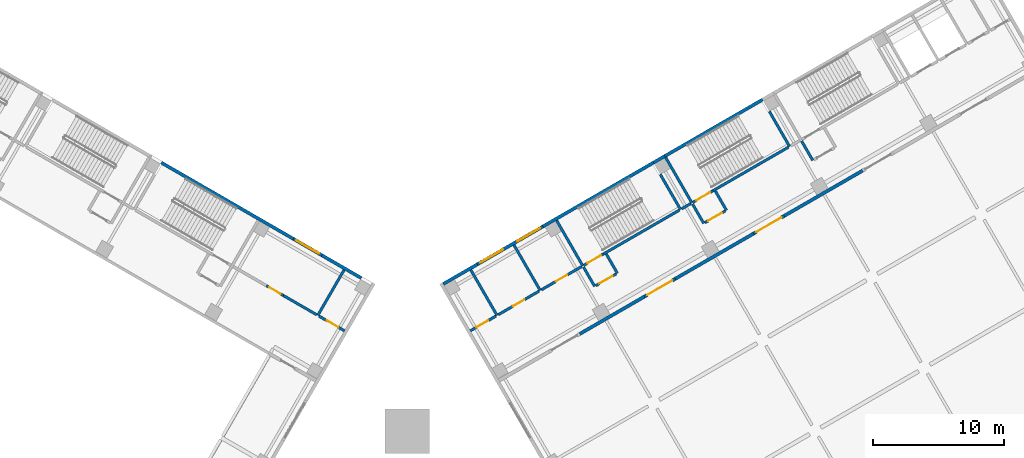
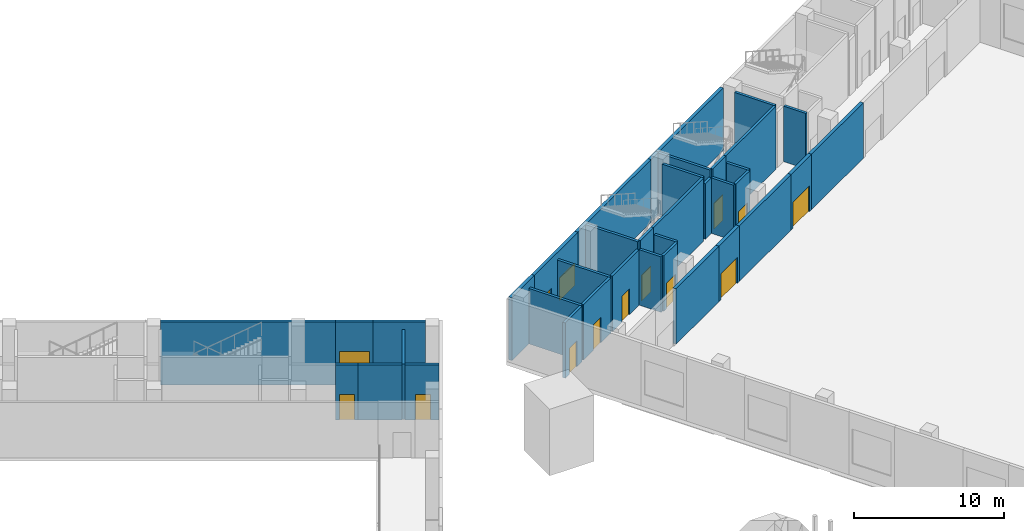
# One storey, part 19 of 35: 38 walls, 11 doors, 3 windows, 14 openings.
"""IFC4 building model written with IfcOpenShell, lengths in metres."""

from ifc_helpers import new_model, si_unit, direction, frame, frame_2d, origin, place, context, subcontext, project, spatial, rectangle, extrude, material, layer, layer_set, type_object, element, fill, save


model = new_model("IFC4")

# Units and contexts
model_context = context("Model", 3, precision=1e-05, world=origin(), true_north=direction((0.0, 1.0)))
body_context = subcontext(model_context, "Body", "Model", "MODEL_VIEW")
ifc_project = project(units=[si_unit("LENGTHUNIT", "METRE"), si_unit("AREAUNIT", "SQUARE_METRE"), si_unit("VOLUMEUNIT", "CUBIC_METRE"), si_unit("PLANEANGLEUNIT", "RADIAN"), si_unit("MASSUNIT", "GRAM", prefix="KILO")], contexts=[model_context])

# Site, building, storey
site_placement = place(None, origin())
site = spatial("IfcSite", under=ifc_project, at=site_placement, CompositionType="ELEMENT")
building_placement = place(site_placement, origin())
building = spatial("IfcBuilding", under=site, at=building_placement, Name="Mestral Congress Tower", CompositionType="ELEMENT")
storey_placement = place(building_placement, frame((0.0, 0.0, 6.0)))
storey = spatial("IfcBuildingStorey", under=building, at=storey_placement, Name="L01", CompositionType="ELEMENT", Elevation=6.0)

# Wall
ifc_material_1 = material(Name="Precast concrete C40/50 with limestone facing", Category="masonry")
ifc_layer_1 = layer(ifc_material_1, 0.25)
ifc_layer_set_1 = layer_set([ifc_layer_1], Name="Precast concrete C40/50 with limestone facing")
wall_type_1 = type_object("IfcWallType", Name="Podium external wall 250", PredefinedType="SOLIDWALL", material=ifc_layer_set_1)
wall_1_placement = place(storey_placement, frame((2.7333984375, 47.621826171875, 0.0), z_axis=(0.0, 0.0, 1.0), x_axis=(0.866010750942, 0.50002537861, 0.0)))
element("IfcWall", 1, at=wall_1_placement, inside=storey, type_object=wall_type_1, Name="L01 external wall", PredefinedType="SOLIDWALL", context=body_context, shape_type="SweptSolid", body=[
    extrude(rectangle(XDim=2.999755859375, YDim=0.25, at=frame_2d((1.5, 0.0))), origin(), (0.0, 0.0, 1.0), 5.10009765625),
])

# Wall, openings, windows
wall_2_placement = place(storey_placement, frame((5.331298828125, 49.121826171875, 0.0), z_axis=(0.0, 0.0, 1.0), x_axis=(0.866036343161, 0.499981051965, 0.0)))
wall_2 = element("IfcWall", 2, at=wall_2_placement, inside=storey, type_object=wall_type_1, Name="L01 external wall", PredefinedType="SOLIDWALL", context=body_context, shape_type="SweptSolid", body=[
    extrude(rectangle(XDim=5.775146484375, YDim=0.25, at=frame_2d((2.8876953125, 0.0))), origin(), (0.0, 0.0, 1.0), 5.10009765625),
])
opening_1_placement = place(wall_2_placement, frame((0.25, 0.0, 0.89990234375)))
opening_1 = element("IfcOpeningElement", 3, at=opening_1_placement, cuts=wall_2, Name="Opening PW-2000x1800", PredefinedType="OPENING", context=body_context, shape_type="SweptSolid", body=[
    extrude(rectangle(XDim=2.0, YDim=1.800048828125, at=frame_2d((1.0, 0.89990234375))), frame((0.0, 0.135009765625, 0.0), z_axis=(0.0, -1.0, 0.0), x_axis=(1.0, 0.0, 0.0)), (0.0, 0.0, 1.0), 0.27001953125),
])
opening_2_placement = place(wall_2_placement, frame((3.52490234375, 0.0, 0.89990234375)))
opening_2 = element("IfcOpeningElement", 4, at=opening_2_placement, cuts=wall_2, Name="Opening PW-2000x1800", PredefinedType="OPENING", context=body_context, shape_type="SweptSolid", body=[
    extrude(rectangle(XDim=2.0, YDim=1.800048828125, at=frame_2d((1.0, 0.89990234375))), frame((0.0, 0.135009765625, 0.0), z_axis=(0.0, -1.0, 0.0), x_axis=(1.0, 0.0, 0.0)), (0.0, 0.0, 1.0), 0.27001953125),
])
ifc_material_2 = material(Name="Aluminium frame, clear double glazing", Category="aluminium")
window_type = type_object("IfcWindowType", Name="Podium window 2000x1800 sill 900", PartitioningType="SINGLE_PANEL", PredefinedType="WINDOW", material=ifc_material_2)
window_1_placement = place(opening_1_placement, origin())
window_1 = element("IfcWindow", 5, at=window_1_placement, inside=storey, type_object=window_type, Name="Window", OverallHeight=1.800048828125, OverallWidth=2.0, PartitioningType="SINGLE_PANEL", PredefinedType="WINDOW", context=body_context, shape_type="SweptSolid", body=[
    extrude(rectangle(XDim=2.0, YDim=1.800048828125, at=frame_2d((1.0, 0.89990234375))), frame((0.0, 0.030029296875, 0.0), z_axis=(0.0, -1.0, 0.0), x_axis=(1.0, 0.0, 0.0)), (0.0, 0.0, 1.0), 0.06005859375),
])
fill(opening_1, window_1)
window_2_placement = place(opening_2_placement, origin())
window_2 = element("IfcWindow", 6, at=window_2_placement, inside=storey, type_object=window_type, Name="Window", OverallHeight=1.800048828125, OverallWidth=2.0, PartitioningType="SINGLE_PANEL", PredefinedType="WINDOW", context=body_context, shape_type="SweptSolid", body=[
    extrude(rectangle(XDim=2.0, YDim=1.800048828125, at=frame_2d((1.0, 0.89990234375))), frame((0.0, 0.030029296875, 0.0), z_axis=(0.0, -1.0, 0.0), x_axis=(1.0, 0.0, 0.0)), (0.0, 0.0, 1.0), 0.06005859375),
])
fill(opening_2, window_2)

# Walls
wall_3_placement = place(storey_placement, frame((10.332763671875, 52.00927734375, 0.0), z_axis=(0.0, 0.0, 1.0), x_axis=(0.866023797515, 0.500002782129, 0.0)))
element("IfcWall", 7, at=wall_3_placement, inside=storey, type_object=wall_type_1, Name="L01 external wall", PredefinedType="SOLIDWALL", context=body_context, shape_type="SweptSolid", body=[
    extrude(rectangle(XDim=9.72509765625, YDim=0.25, at=frame_2d((4.862548828125, 0.0))), origin(), (0.0, 0.0, 1.0), 5.10009765625),
])
wall_4_placement = place(storey_placement, frame((19.620849609375, 57.371826171875, 0.0), z_axis=(0.0, 0.0, 1.0), x_axis=(0.866021068297, 0.500007509209, 0.0)))
element("IfcWall", 8, at=wall_4_placement, inside=storey, type_object=wall_type_1, Name="L01 external wall", PredefinedType="SOLIDWALL", context=body_context, shape_type="SweptSolid", body=[
    extrude(rectangle(XDim=8.599853515625, YDim=0.25, at=frame_2d((4.2998046875, 0.0))), origin(), (0.0, 0.0, 1.0), 5.10009765625),
])
wall_5_placement = place(storey_placement, frame((18.7548828125, 56.871826171875, 0.0), z_axis=(0.0, 0.0, 1.0), x_axis=(0.866010750942, 0.50002537861, 0.0)))
element("IfcWall", 9, at=wall_5_placement, inside=storey, type_object=wall_type_1, Name="L01 external wall", PredefinedType="SOLIDWALL", context=body_context, shape_type="SweptSolid", body=[
    extrude(rectangle(XDim=1.0, YDim=0.25, at=frame_2d((0.5, 0.0))), origin(), (0.0, 0.0, 1.0), 5.10009765625),
])
wall_6_placement = place(storey_placement, frame((-6.522216796875, 49.80908203125, 0.0), z_axis=(0.0, 0.0, 1.0), x_axis=(0.866055725969, -0.499947476758, 0.0)))
element("IfcWall", 10, at=wall_6_placement, inside=storey, type_object=wall_type_1, Name="L01 external wall", PredefinedType="SOLIDWALL", context=body_context, shape_type="SweptSolid", body=[
    extrude(rectangle(XDim=3.474853515625, YDim=0.25, at=frame_2d((1.7373046875, 0.0))), origin(), (0.0, 0.0, 1.0), 5.10009765625),
])

# Wall, opening, window
wall_7_placement = place(storey_placement, frame((-8.687255859375, 51.05908203125, 0.0), z_axis=(0.0, 0.0, 1.0), x_axis=(0.866022959057, -0.500004234368, 0.0)))
wall_7 = element("IfcWall", 11, at=wall_7_placement, inside=storey, type_object=wall_type_1, Name="L01 external wall", PredefinedType="SOLIDWALL", context=body_context, shape_type="SweptSolid", body=[
    extrude(rectangle(XDim=2.5, YDim=0.25, at=frame_2d((1.25, 0.0))), origin(), (0.0, 0.0, 1.0), 5.10009765625),
])
opening_3_placement = place(wall_7_placement, frame((0.25, 0.0, 0.89990234375)))
opening_3 = element("IfcOpeningElement", 12, at=opening_3_placement, cuts=wall_7, Name="Opening PW-2000x1800", PredefinedType="OPENING", context=body_context, shape_type="SweptSolid", body=[
    extrude(rectangle(XDim=2.0, YDim=1.800048828125, at=frame_2d((1.0, 0.89990234375))), frame((0.0, 0.135009765625, 0.0), z_axis=(0.0, -1.0, 0.0), x_axis=(1.0, 0.0, 0.0)), (0.0, 0.0, 1.0), 0.27001953125),
])
window_3_placement = place(opening_3_placement, origin())
window_3 = element("IfcWindow", 13, at=window_3_placement, inside=storey, type_object=window_type, Name="Window", OverallHeight=1.800048828125, OverallWidth=2.0, PartitioningType="SINGLE_PANEL", PredefinedType="WINDOW", context=body_context, shape_type="SweptSolid", body=[
    extrude(rectangle(XDim=2.0, YDim=1.800048828125, at=frame_2d((1.0, 0.89990234375))), frame((0.0, 0.030029296875, 0.0), z_axis=(0.0, -1.0, 0.0), x_axis=(1.0, 0.0, 0.0)), (0.0, 0.0, 1.0), 0.06005859375),
])
fill(opening_3, window_3)

# Walls
wall_8_placement = place(storey_placement, frame((-18.7548828125, 56.87158203125, 0.0), z_axis=(0.0, 0.0, 1.0), x_axis=(0.866027159341, -0.499996959274, 0.0)))
element("IfcWall", 14, at=wall_8_placement, inside=storey, type_object=wall_type_1, Name="L01 external wall", PredefinedType="SOLIDWALL", context=body_context, shape_type="SweptSolid", body=[
    extrude(rectangle(XDim=11.625, YDim=0.25, at=frame_2d((5.8125, 0.0))), origin(), (0.0, 0.0, 1.0), 5.10009765625),
])
ifc_material_3 = material(Name="Masonry block wall", Category="masonry")
ifc_layer_2 = layer(ifc_material_3, 0.25)
ifc_layer_set_2 = layer_set([ifc_layer_2], Name="Masonry block wall")
wall_type_2 = type_object("IfcWallType", Name="Podium hall wall 250 EI 180", PredefinedType="SOLIDWALL", material=ifc_layer_set_2)
wall_9_placement = place(storey_placement, frame((13.132080078125, 43.810546875, 0.0), z_axis=(0.0, 0.0, 1.0), x_axis=(0.866015111908, 0.50001782563, 0.0)))
element("IfcWall", 15, at=wall_9_placement, inside=storey, type_object=wall_type_2, Name="L01 partition", PredefinedType="SOLIDWALL", context=body_context, shape_type="SweptSolid", body=[
    extrude(rectangle(XDim=5.699951171875, YDim=0.25, at=frame_2d((2.85009765625, 0.0))), origin(), (0.0, 0.0, 1.0), 4.5),
])

# Wall, opening, door
wall_10_placement = place(storey_placement, frame((18.068359375, 46.66064453125, 0.0), z_axis=(0.0, 0.0, 1.0), x_axis=(0.866059108428, 0.4999416173, 0.0)))
wall_10 = element("IfcWall", 16, at=wall_10_placement, inside=storey, type_object=wall_type_2, Name="L01 partition", PredefinedType="SOLIDWALL", context=body_context, shape_type="SweptSolid", body=[
    extrude(rectangle(XDim=2.699951171875, YDim=0.25, at=frame_2d((1.35009765625, 0.0))), origin(), (0.0, 0.0, 1.0), 4.5),
])
opening_4_placement = place(wall_10_placement, frame((0.25, 0.0, 0.0)))
opening_4 = element("IfcOpeningElement", 17, at=opening_4_placement, cuts=wall_10, Name="Opening P01-023", PredefinedType="OPENING", context=body_context, shape_type="SweptSolid", body=[
    extrude(rectangle(XDim=2.199951171875, YDim=2.10009765625, at=frame_2d((1.10009765625, 1.050048828125))), frame((0.0, 0.135009765625, 0.0), z_axis=(0.0, -1.0, 0.0), x_axis=(1.0, 0.0, 0.0)), (0.0, 0.0, 1.0), 0.27001953125),
])
ifc_material_4 = material(Name="Fire-rated steel door set", Category="steel")
door_type_1 = type_object("IfcDoorType", Name="Podium hall door 2200x2100 EI2 90-C5", OperationType="DOUBLE_DOOR_SINGLE_SWING", PredefinedType="DOOR", material=ifc_material_4)
door_1_placement = place(opening_4_placement, origin())
door_1 = element("IfcDoor", 18, at=door_1_placement, inside=storey, type_object=door_type_1, Name="Door P01-023", OperationType="DOUBLE_DOOR_SINGLE_SWING", OverallHeight=2.10009765625, OverallWidth=2.199951171875, PredefinedType="DOOR", context=body_context, shape_type="SweptSolid", body=[
    extrude(rectangle(XDim=2.199951171875, YDim=2.10009765625, at=frame_2d((1.10009765625, 1.050048828125))), frame((0.0, 0.02490234375, 0.0), z_axis=(0.0, -1.0, 0.0), x_axis=(1.0, 0.0, 0.0)), (0.0, 0.0, 1.0), 0.050048828125),
])
fill(opening_4, door_1)

# Wall
wall_11_placement = place(storey_placement, frame((20.40673828125, 48.010498046875, 0.0), z_axis=(0.0, 0.0, 1.0), x_axis=(0.866013532718, 0.500020560727, 0.0)))
element("IfcWall", 19, at=wall_11_placement, inside=storey, type_object=wall_type_2, Name="L01 partition", PredefinedType="SOLIDWALL", context=body_context, shape_type="SweptSolid", body=[
    extrude(rectangle(XDim=6.900146484375, YDim=0.25, at=frame_2d((3.4501953125, 0.0))), origin(), (0.0, 0.0, 1.0), 4.5),
])

# Wall, opening, door
wall_12_placement = place(storey_placement, frame((26.38232421875, 51.460693359375, 0.0), z_axis=(0.0, 0.0, 1.0), x_axis=(0.866036505625, 0.499980770555, 0.0)))
wall_12 = element("IfcWall", 20, at=wall_12_placement, inside=storey, type_object=wall_type_2, Name="L01 partition", PredefinedType="SOLIDWALL", context=body_context, shape_type="SweptSolid", body=[
    extrude(rectangle(XDim=2.69970703125, YDim=0.25, at=frame_2d((1.349853515625, 0.0))), origin(), (0.0, 0.0, 1.0), 4.5),
])
opening_5_placement = place(wall_12_placement, frame((0.25, 0.0, 0.0)))
opening_5 = element("IfcOpeningElement", 21, at=opening_5_placement, cuts=wall_12, Name="Opening P01-024", PredefinedType="OPENING", context=body_context, shape_type="SweptSolid", body=[
    extrude(rectangle(XDim=2.199951171875, YDim=2.10009765625, at=frame_2d((1.10009765625, 1.050048828125))), frame((0.0, 0.135009765625, 0.0), z_axis=(0.0, -1.0, 0.0), x_axis=(1.0, 0.0, 0.0)), (0.0, 0.0, 1.0), 0.27001953125),
])
door_2_placement = place(opening_5_placement, origin())
door_2 = element("IfcDoor", 22, at=door_2_placement, inside=storey, type_object=door_type_1, Name="Door P01-024", OperationType="DOUBLE_DOOR_SINGLE_SWING", OverallHeight=2.10009765625, OverallWidth=2.199951171875, PredefinedType="DOOR", context=body_context, shape_type="SweptSolid", body=[
    extrude(rectangle(XDim=2.199951171875, YDim=2.10009765625, at=frame_2d((1.10009765625, 1.050048828125))), frame((0.0, 0.02490234375, 0.0), z_axis=(0.0, -1.0, 0.0), x_axis=(1.0, 0.0, 0.0)), (0.0, 0.0, 1.0), 0.050048828125),
])
fill(opening_5, door_2)

# Walls
wall_13_placement = place(storey_placement, frame((28.720458984375, 52.810546875, 0.0), z_axis=(0.0, 0.0, 1.0), x_axis=(0.866028853923, 0.499994024137, 0.0)))
element("IfcWall", 23, at=wall_13_placement, inside=storey, type_object=wall_type_2, Name="L01 partition", PredefinedType="SOLIDWALL", context=body_context, shape_type="SweptSolid", body=[
    extrude(rectangle(XDim=6.89990234375, YDim=0.25, at=frame_2d((3.449951171875, 0.0))), origin(), (0.0, 0.0, 1.0), 4.5),
])
ifc_layer_3 = layer(ifc_material_3, 0.199951171875)
ifc_layer_set_3 = layer_set([ifc_layer_3], Name="Masonry block wall")
wall_type_3 = type_object("IfcWallType", Name="Podium stair enclosure wall 200 EI 120 load-bearing", PredefinedType="SOLIDWALL", material=ifc_layer_set_3)
wall_14_placement = place(storey_placement, frame((13.369384765625, 48.99951171875, 0.0), z_axis=(0.0, 0.0, 1.0), x_axis=(-0.50002537861, 0.866010750942, 0.0)))
element("IfcWall", 24, at=wall_14_placement, inside=storey, type_object=wall_type_3, Name="L01 partition", PredefinedType="SOLIDWALL", context=body_context, shape_type="SweptSolid", body=[
    extrude(rectangle(XDim=3.999755859375, YDim=0.199951171875, at=frame_2d((2.0, 0.0))), origin(), (0.0, 0.0, 1.0), 5.10009765625),
])
wall_15_placement = place(storey_placement, frame((20.8173828125, 53.29931640625, 0.0), z_axis=(0.0, 0.0, 1.0), x_axis=(-0.49999285859, 0.86602952684, 0.0)))
element("IfcWall", 25, at=wall_15_placement, inside=storey, type_object=wall_type_3, Name="L01 partition", PredefinedType="SOLIDWALL", context=body_context, shape_type="SweptSolid", body=[
    extrude(rectangle(XDim=3.10009765625, YDim=0.199951171875, at=frame_2d((1.550048828125, 0.0))), origin(), (0.0, 0.0, 1.0), 5.10009765625),
])
wall_16_placement = place(storey_placement, frame((21.683349609375, 53.79931640625, 0.0), z_axis=(0.0, 0.0, 1.0), x_axis=(-0.49999894854, 0.866026010844, 0.0)))
element("IfcWall", 26, at=wall_16_placement, inside=storey, type_object=wall_type_3, Name="L01 partition", PredefinedType="SOLIDWALL", context=body_context, shape_type="SweptSolid", body=[
    extrude(rectangle(XDim=4.0, YDim=0.199951171875, at=frame_2d((2.0, 0.0))), origin(), (0.0, 0.0, 1.0), 5.10009765625),
])
wall_17_placement = place(storey_placement, frame((29.131103515625, 58.099365234375, 0.0), z_axis=(0.0, 0.0, 1.0), x_axis=(-0.49999285859, 0.86602952684, 0.0)))
element("IfcWall", 27, at=wall_17_placement, inside=storey, type_object=wall_type_3, Name="L01 partition", PredefinedType="SOLIDWALL", context=body_context, shape_type="SweptSolid", body=[
    extrude(rectangle(XDim=3.10009765625, YDim=0.199951171875, at=frame_2d((1.550048828125, 0.0))), origin(), (0.0, 0.0, 1.0), 5.10009765625),
])

# Wall, opening, door
wall_18_placement = place(storey_placement, frame((13.4560546875, 49.04931640625, 0.0), z_axis=(0.0, 0.0, 1.0), x_axis=(0.866036909293, 0.499980071345, 0.0)))
wall_18 = element("IfcWall", 28, at=wall_18_placement, inside=storey, type_object=wall_type_3, Name="L01 partition", PredefinedType="SOLIDWALL", context=body_context, shape_type="SweptSolid", body=[
    extrude(rectangle(XDim=1.75, YDim=0.199951171875, at=frame_2d((0.875, 0.0))), origin(), (0.0, 0.0, 1.0), 5.10009765625),
])
opening_6_placement = place(wall_18_placement, frame((0.300048828125, 0.0, 0.0)))
opening_6 = element("IfcOpeningElement", 29, at=opening_6_placement, cuts=wall_18, Name="Opening P01-004", PredefinedType="OPENING", context=body_context, shape_type="SweptSolid", body=[
    extrude(rectangle(XDim=1.199951171875, YDim=2.10009765625, at=frame_2d((0.60009765625, 1.050048828125))), frame((0.0, 0.10986328125, 0.0), z_axis=(0.0, -1.0, 0.0), x_axis=(1.0, 0.0, 0.0)), (0.0, 0.0, 1.0), 0.219970703125),
])
door_type_2 = type_object("IfcDoorType", Name="Podium stair door 1200x2100 EI2 30-C5", OperationType="SINGLE_SWING_LEFT", PredefinedType="DOOR", material=ifc_material_4)
door_3_placement = place(opening_6_placement, origin())
door_3 = element("IfcDoor", 30, at=door_3_placement, inside=storey, type_object=door_type_2, Name="Door P01-004", OperationType="SINGLE_SWING_LEFT", OverallHeight=2.10009765625, OverallWidth=1.199951171875, PredefinedType="DOOR", context=body_context, shape_type="SweptSolid", body=[
    extrude(rectangle(XDim=1.199951171875, YDim=2.10009765625, at=frame_2d((0.60009765625, 1.050048828125))), frame((0.0, 0.02490234375, 0.0), z_axis=(0.0, -1.0, 0.0), x_axis=(1.0, 0.0, 0.0)), (0.0, 0.0, 1.0), 0.050048828125),
])
fill(opening_6, door_3)

# Wall
wall_19_placement = place(storey_placement, frame((14.9716796875, 49.92431640625, 0.0), z_axis=(0.0, 0.0, 1.0), x_axis=(0.86601134256, 0.500024353964, 0.0)))
element("IfcWall", 31, at=wall_19_placement, inside=storey, type_object=wall_type_3, Name="L01 partition", PredefinedType="SOLIDWALL", context=body_context, shape_type="SweptSolid", body=[
    extrude(rectangle(XDim=6.650146484375, YDim=0.199951171875, at=frame_2d((3.3251953125, 0.0))), origin(), (0.0, 0.0, 1.0), 5.10009765625),
])

# Wall, opening, door
wall_20_placement = place(storey_placement, frame((21.77001953125, 53.849365234375, 0.0), z_axis=(0.0, 0.0, 1.0), x_axis=(0.866002029911, 0.500040482552, 0.0)))
wall_20 = element("IfcWall", 32, at=wall_20_placement, inside=storey, type_object=wall_type_3, Name="L01 partition", PredefinedType="SOLIDWALL", context=body_context, shape_type="SweptSolid", body=[
    extrude(rectangle(XDim=1.749755859375, YDim=0.199951171875, at=frame_2d((0.875, 0.0))), origin(), (0.0, 0.0, 1.0), 5.10009765625),
])
opening_7_placement = place(wall_20_placement, frame((0.300048828125, 0.0, 0.0)))
opening_7 = element("IfcOpeningElement", 33, at=opening_7_placement, cuts=wall_20, Name="Opening P01-005", PredefinedType="OPENING", context=body_context, shape_type="SweptSolid", body=[
    extrude(rectangle(XDim=1.199951171875, YDim=2.10009765625, at=frame_2d((0.60009765625, 1.050048828125))), frame((0.0, 0.10986328125, 0.0), z_axis=(0.0, -1.0, 0.0), x_axis=(1.0, 0.0, 0.0)), (0.0, 0.0, 1.0), 0.219970703125),
])
door_4_placement = place(opening_7_placement, origin())
door_4 = element("IfcDoor", 34, at=door_4_placement, inside=storey, type_object=door_type_2, Name="Door P01-005", OperationType="SINGLE_SWING_LEFT", OverallHeight=2.10009765625, OverallWidth=1.199951171875, PredefinedType="DOOR", context=body_context, shape_type="SweptSolid", body=[
    extrude(rectangle(XDim=1.199951171875, YDim=2.10009765625, at=frame_2d((0.60009765625, 1.050048828125))), frame((0.0, 0.02490234375, 0.0), z_axis=(0.0, -1.0, 0.0), x_axis=(1.0, 0.0, 0.0)), (0.0, 0.0, 1.0), 0.050048828125),
])
fill(opening_7, door_4)

# Walls
wall_21_placement = place(storey_placement, frame((23.285400390625, 54.724365234375, 0.0), z_axis=(0.0, 0.0, 1.0), x_axis=(0.866027239912, 0.49999681972, 0.0)))
element("IfcWall", 35, at=wall_21_placement, inside=storey, type_object=wall_type_3, Name="L01 partition", PredefinedType="SOLIDWALL", context=body_context, shape_type="SweptSolid", body=[
    extrude(rectangle(XDim=6.64990234375, YDim=0.199951171875, at=frame_2d((3.324951171875, 0.0))), origin(), (0.0, 0.0, 1.0), 5.10009765625),
])
ifc_material_5 = material(Name="Fire-rated board partition")
ifc_layer_4 = layer(ifc_material_5, 0.199951171875)
ifc_layer_set_4 = layer_set([ifc_layer_4], Name="Fire-rated board partition")
wall_type_4 = type_object("IfcWallType", Name="Podium vestibule wall 200 EI 120", PredefinedType="PARTITIONING", material=ifc_layer_set_4)
for number, where, z_axis, x_axis, name in (
    (36, (14.26953125, 47.440673828125, 0.0), (0.0, 0.0, 1.0), (-0.500062241894, 0.865989465428, 0.0), "L01 partition"),
    (37, (16.00146484375, 48.440673828125, 0.0), (0.0, 0.0, 1.0), (-0.499954529098, 0.86605165483, 0.0), "L01 partition"),
    (38, (22.583251953125, 52.240478515625, 0.0), (0.0, 0.0, 1.0), (-0.499892348375, 0.866087547558, 0.0), "L01 partition"),
):
    element("IfcWall", number, at=place(storey_placement, frame(where, z_axis=z_axis, x_axis=x_axis)), inside=storey, type_object=wall_type_4, Name=name, PredefinedType="PARTITIONING", context=body_context, shape_type="SweptSolid", body=[
        extrude(rectangle(XDim=1.699951171875, YDim=0.199951171875, at=frame_2d((0.85009765625, 0.0))), origin(), (0.0, 0.0, 1.0), 4.5),
    ])
wall_22_placement = place(storey_placement, frame((24.3154296875, 53.240478515625, 0.0), z_axis=(0.0, 0.0, 1.0), x_axis=(-0.500000056704, 0.866025371046, 0.0)))
element("IfcWall", 39, at=wall_22_placement, inside=storey, type_object=wall_type_4, Name="L01 partition", PredefinedType="PARTITIONING", context=body_context, shape_type="SweptSolid", body=[
    extrude(rectangle(XDim=1.7001953125, YDim=0.199951171875, at=frame_2d((0.85009765625, 0.0))), origin(), (0.0, 0.0, 1.0), 4.5),
])
wall_23_placement = place(storey_placement, frame((30.897216796875, 57.04052734375, 0.0), z_axis=(0.0, 0.0, 1.0), x_axis=(-0.500062241894, 0.865989465428, 0.0)))
element("IfcWall", 40, at=wall_23_placement, inside=storey, type_object=wall_type_4, Name="L01 partition", PredefinedType="PARTITIONING", context=body_context, shape_type="SweptSolid", body=[
    extrude(rectangle(XDim=1.699951171875, YDim=0.199951171875, at=frame_2d((0.85009765625, 0.0))), origin(), (0.0, 0.0, 1.0), 4.5),
])

# Wall, opening, door
wall_24_placement = place(storey_placement, frame((14.356201171875, 47.490478515625, 0.0), z_axis=(0.0, 0.0, 1.0), x_axis=(0.865955154139, 0.50012165622, 0.0)))
wall_24 = element("IfcWall", 41, at=wall_24_placement, inside=storey, type_object=wall_type_4, Name="L01 partition", PredefinedType="PARTITIONING", context=body_context, shape_type="SweptSolid", body=[
    extrude(rectangle(XDim=1.7998046875, YDim=0.199951171875, at=frame_2d((0.89990234375, 0.0))), origin(), (0.0, 0.0, 1.0), 4.5),
])
opening_8_placement = place(wall_24_placement, frame((0.300048828125, 0.0, 0.0)))
opening_8 = element("IfcOpeningElement", 42, at=opening_8_placement, cuts=wall_24, Name="Opening P01-014", PredefinedType="OPENING", context=body_context, shape_type="SweptSolid", body=[
    extrude(rectangle(XDim=1.199951171875, YDim=2.10009765625, at=frame_2d((0.60009765625, 1.050048828125))), frame((0.0, 0.10986328125, 0.0), z_axis=(0.0, -1.0, 0.0), x_axis=(1.0, 0.0, 0.0)), (0.0, 0.0, 1.0), 0.219970703125),
])
door_type_3 = type_object("IfcDoorType", Name="Podium vestibule door 1200x2100 EI2 30-C5", OperationType="SINGLE_SWING_LEFT", PredefinedType="DOOR", material=ifc_material_4)
door_5_placement = place(opening_8_placement, origin())
door_5 = element("IfcDoor", 43, at=door_5_placement, inside=storey, type_object=door_type_3, Name="Door P01-014", OperationType="SINGLE_SWING_LEFT", OverallHeight=2.10009765625, OverallWidth=1.199951171875, PredefinedType="DOOR", context=body_context, shape_type="SweptSolid", body=[
    extrude(rectangle(XDim=1.199951171875, YDim=2.10009765625, at=frame_2d((0.60009765625, 1.050048828125))), frame((0.0, 0.02490234375, 0.0), z_axis=(0.0, -1.0, 0.0), x_axis=(1.0, 0.0, 0.0)), (0.0, 0.0, 1.0), 0.050048828125),
])
fill(opening_8, door_5)

wall_25_placement = place(storey_placement, frame((22.669921875, 52.29052734375, 0.0), z_axis=(0.0, 0.0, 1.0), x_axis=(0.865989075817, 0.500062916607, 0.0)))
wall_25 = element("IfcWall", 44, at=wall_25_placement, inside=storey, type_object=wall_type_4, Name="L01 partition", PredefinedType="PARTITIONING", context=body_context, shape_type="SweptSolid", body=[
    extrude(rectangle(XDim=1.800048828125, YDim=0.199951171875, at=frame_2d((0.89990234375, 0.0))), origin(), (0.0, 0.0, 1.0), 4.5),
])
opening_9_placement = place(wall_25_placement, frame((0.300048828125, 0.0, 0.0)))
opening_9 = element("IfcOpeningElement", 45, at=opening_9_placement, cuts=wall_25, Name="Opening P01-015", PredefinedType="OPENING", context=body_context, shape_type="SweptSolid", body=[
    extrude(rectangle(XDim=1.199951171875, YDim=2.10009765625, at=frame_2d((0.60009765625, 1.050048828125))), frame((0.0, 0.10986328125, 0.0), z_axis=(0.0, -1.0, 0.0), x_axis=(1.0, 0.0, 0.0)), (0.0, 0.0, 1.0), 0.219970703125),
])
door_6_placement = place(opening_9_placement, origin())
door_6 = element("IfcDoor", 46, at=door_6_placement, inside=storey, type_object=door_type_3, Name="Door P01-015", OperationType="SINGLE_SWING_LEFT", OverallHeight=2.10009765625, OverallWidth=1.199951171875, PredefinedType="DOOR", context=body_context, shape_type="SweptSolid", body=[
    extrude(rectangle(XDim=1.199951171875, YDim=2.10009765625, at=frame_2d((0.60009765625, 1.050048828125))), frame((0.0, 0.02490234375, 0.0), z_axis=(0.0, -1.0, 0.0), x_axis=(1.0, 0.0, 0.0)), (0.0, 0.0, 1.0), 0.050048828125),
])
fill(opening_9, door_6)

# Wall
wall_26_placement = place(storey_placement, frame((6.8310546875, 45.224365234375, 0.0), z_axis=(0.0, 0.0, 1.0), x_axis=(-0.49999894854, 0.866026010844, 0.0)))
element("IfcWall", 47, at=wall_26_placement, inside=storey, type_object=wall_type_4, Name="L01 partition", PredefinedType="PARTITIONING", context=body_context, shape_type="SweptSolid", body=[
    extrude(rectangle(XDim=4.0, YDim=0.199951171875, at=frame_2d((2.0, 0.0))), origin(), (0.0, 0.0, 1.0), 4.5),
])

# Wall, opening, door
wall_27_placement = place(storey_placement, frame((4.7958984375, 44.04931640625, 0.0), z_axis=(0.0, 0.0, 1.0), x_axis=(0.866017533419, 0.500013631625, 0.0)))
wall_27 = element("IfcWall", 48, at=wall_27_placement, inside=storey, type_object=wall_type_4, Name="L01 partition", PredefinedType="PARTITIONING", context=body_context, shape_type="SweptSolid", body=[
    extrude(rectangle(XDim=2.25, YDim=0.199951171875, at=frame_2d((1.125, 0.0))), origin(), (0.0, 0.0, 1.0), 4.5),
])
opening_10_placement = place(wall_27_placement, frame((0.550048828125, 0.0, 0.0)))
opening_10 = element("IfcOpeningElement", 49, at=opening_10_placement, cuts=wall_27, Name="Opening P01-030", PredefinedType="OPENING", context=body_context, shape_type="SweptSolid", body=[
    extrude(rectangle(XDim=1.0, YDim=2.10009765625, at=frame_2d((0.5, 1.050048828125))), frame((0.0, 0.10986328125, 0.0), z_axis=(0.0, -1.0, 0.0), x_axis=(1.0, 0.0, 0.0)), (0.0, 0.0, 1.0), 0.219970703125),
])
door_type_4 = type_object("IfcDoorType", Name="Podium room door 1000x2100 EI2 30-C5", OperationType="SINGLE_SWING_LEFT", PredefinedType="DOOR", material=ifc_material_4)
door_7_placement = place(opening_10_placement, origin())
door_7 = element("IfcDoor", 50, at=door_7_placement, inside=storey, type_object=door_type_4, Name="Door P01-030", OperationType="SINGLE_SWING_LEFT", OverallHeight=2.10009765625, OverallWidth=1.0, PredefinedType="DOOR", context=body_context, shape_type="SweptSolid", body=[
    extrude(rectangle(XDim=1.0, YDim=2.10009765625, at=frame_2d((0.5, 1.050048828125))), frame((0.0, 0.02490234375, 0.0), z_axis=(0.0, -1.0, 0.0), x_axis=(1.0, 0.0, 0.0)), (0.0, 0.0, 1.0), 0.050048828125),
])
fill(opening_10, door_7)

# Wall
wall_28_placement = place(storey_placement, frame((10.121826171875, 47.12451171875, 0.0), z_axis=(0.0, 0.0, 1.0), x_axis=(-0.50002537861, 0.866010750942, 0.0)))
element("IfcWall", 51, at=wall_28_placement, inside=storey, type_object=wall_type_4, Name="L01 partition", PredefinedType="PARTITIONING", context=body_context, shape_type="SweptSolid", body=[
    extrude(rectangle(XDim=3.999755859375, YDim=0.199951171875, at=frame_2d((2.0, 0.0))), origin(), (0.0, 0.0, 1.0), 4.5),
])

# Wall, opening, door
wall_29_placement = place(storey_placement, frame((6.91748046875, 45.2744140625, 0.0), z_axis=(0.0, 0.0, 1.0), x_axis=(0.866035395735, 0.499982693035, 0.0)))
wall_29 = element("IfcWall", 52, at=wall_29_placement, inside=storey, type_object=wall_type_4, Name="L01 partition", PredefinedType="PARTITIONING", context=body_context, shape_type="SweptSolid", body=[
    extrude(rectangle(XDim=3.600341796875, YDim=0.199951171875, at=frame_2d((1.80029296875, 0.0))), origin(), (0.0, 0.0, 1.0), 4.5),
])
opening_11_placement = place(wall_29_placement, frame((1.300048828125, 0.0, 0.0)))
opening_11 = element("IfcOpeningElement", 53, at=opening_11_placement, cuts=wall_29, Name="Opening P01-034", PredefinedType="OPENING", context=body_context, shape_type="SweptSolid", body=[
    extrude(rectangle(XDim=1.0, YDim=2.10009765625, at=frame_2d((0.5, 1.050048828125))), frame((0.0, 0.10986328125, 0.0), z_axis=(0.0, -1.0, 0.0), x_axis=(1.0, 0.0, 0.0)), (0.0, 0.0, 1.0), 0.219970703125),
])
door_8_placement = place(opening_11_placement, origin())
door_8 = element("IfcDoor", 54, at=door_8_placement, inside=storey, type_object=door_type_4, Name="Door P01-034", OperationType="SINGLE_SWING_LEFT", OverallHeight=2.10009765625, OverallWidth=1.0, PredefinedType="DOOR", context=body_context, shape_type="SweptSolid", body=[
    extrude(rectangle(XDim=1.0, YDim=2.10009765625, at=frame_2d((0.5, 1.050048828125))), frame((0.0, 0.02490234375, 0.0), z_axis=(0.0, -1.0, 0.0), x_axis=(1.0, 0.0, 0.0)), (0.0, 0.0, 1.0), 0.050048828125),
])
fill(opening_11, door_8)

wall_30_placement = place(storey_placement, frame((10.20849609375, 47.17431640625, 0.0), z_axis=(0.0, 0.0, 1.0), x_axis=(0.866012656725, 0.500022077904, 0.0)))
wall_30 = element("IfcWall", 55, at=wall_30_placement, inside=storey, type_object=wall_type_4, Name="L01 partition", PredefinedType="PARTITIONING", context=body_context, shape_type="SweptSolid", body=[
    extrude(rectangle(XDim=3.550048828125, YDim=0.199951171875, at=frame_2d((1.77490234375, 0.0))), origin(), (0.0, 0.0, 1.0), 4.5),
])
opening_12_placement = place(wall_30_placement, frame((1.27490234375, 0.0, 0.0)))
opening_12 = element("IfcOpeningElement", 56, at=opening_12_placement, cuts=wall_30, Name="Opening P01-035", PredefinedType="OPENING", context=body_context, shape_type="SweptSolid", body=[
    extrude(rectangle(XDim=1.0, YDim=2.10009765625, at=frame_2d((0.5, 1.050048828125))), frame((0.0, 0.10986328125, 0.0), z_axis=(0.0, -1.0, 0.0), x_axis=(1.0, 0.0, 0.0)), (0.0, 0.0, 1.0), 0.219970703125),
])
door_9_placement = place(opening_12_placement, origin())
door_9 = element("IfcDoor", 57, at=door_9_placement, inside=storey, type_object=door_type_4, Name="Door P01-035", OperationType="SINGLE_SWING_LEFT", OverallHeight=2.10009765625, OverallWidth=1.0, PredefinedType="DOOR", context=body_context, shape_type="SweptSolid", body=[
    extrude(rectangle(XDim=1.0, YDim=2.10009765625, at=frame_2d((0.5, 1.050048828125))), frame((0.0, 0.02490234375, 0.0), z_axis=(0.0, -1.0, 0.0), x_axis=(1.0, 0.0, 0.0)), (0.0, 0.0, 1.0), 0.050048828125),
])
fill(opening_12, door_9)

# Walls
wall_31_placement = place(storey_placement, frame((20.90380859375, 53.349365234375, 0.0), z_axis=(0.0, 0.0, 1.0), x_axis=(0.865961984968, 0.500109828528, 0.0)))
element("IfcWall", 58, at=wall_31_placement, inside=storey, type_object=wall_type_4, Name="L01 partition", PredefinedType="PARTITIONING", context=body_context, shape_type="SweptSolid", body=[
    extrude(rectangle(XDim=0.800048828125, YDim=0.199951171875, at=frame_2d((0.39990234375, 0.0))), origin(), (0.0, 0.0, 1.0), 4.5),
])
wall_32_placement = place(storey_placement, frame((-4.8310546875, 48.6884765625, 0.0), z_axis=(0.0, 0.0, 1.0), x_axis=(-0.49999894854, -0.866026010844, 0.0)))
element("IfcWall", 59, at=wall_32_placement, inside=storey, type_object=wall_type_4, Name="L01 partition", PredefinedType="PARTITIONING", context=body_context, shape_type="SweptSolid", body=[
    extrude(rectangle(XDim=4.0, YDim=0.199951171875, at=frame_2d((2.0, 0.0))), origin(), (0.0, 0.0, 1.0), 4.5),
])

# Wall, opening, door
wall_33_placement = place(storey_placement, frame((-6.744384765625, 45.17431640625, 0.0), z_axis=(0.0, 0.0, 1.0), x_axis=(0.866017533419, -0.500013631625, 0.0)))
wall_33 = element("IfcWall", 60, at=wall_33_placement, inside=storey, type_object=wall_type_4, Name="L01 partition", PredefinedType="PARTITIONING", context=body_context, shape_type="SweptSolid", body=[
    extrude(rectangle(XDim=2.25, YDim=0.199951171875, at=frame_2d((1.125, 0.0))), origin(), (0.0, 0.0, 1.0), 4.5),
])
opening_13_placement = place(wall_33_placement, frame((0.699951171875, 0.0, 0.0)))
opening_13 = element("IfcOpeningElement", 61, at=opening_13_placement, cuts=wall_33, Name="Opening P01-321", PredefinedType="OPENING", context=body_context, shape_type="SweptSolid", body=[
    extrude(rectangle(XDim=1.0, YDim=2.10009765625, at=frame_2d((0.5, 1.050048828125))), frame((0.0, 0.10986328125, 0.0), z_axis=(0.0, -1.0, 0.0), x_axis=(1.0, 0.0, 0.0)), (0.0, 0.0, 1.0), 0.219970703125),
])
door_10_placement = place(opening_13_placement, origin())
door_10 = element("IfcDoor", 62, at=door_10_placement, inside=storey, type_object=door_type_4, Name="Door P01-321", OperationType="SINGLE_SWING_LEFT", OverallHeight=2.10009765625, OverallWidth=1.0, PredefinedType="DOOR", context=body_context, shape_type="SweptSolid", body=[
    extrude(rectangle(XDim=1.0, YDim=2.10009765625, at=frame_2d((0.5, 1.050048828125))), frame((0.0, 0.02490234375, 0.0), z_axis=(0.0, -1.0, 0.0), x_axis=(1.0, 0.0, 0.0)), (0.0, 0.0, 1.0), 0.050048828125),
])
fill(opening_13, door_10)

# Wall
wall_34_placement = place(storey_placement, frame((-6.91748046875, 45.2744140625, 0.0), z_axis=(0.0, 0.0, 1.0), x_axis=(-0.866046596414, 0.499963291492, 0.0)))
element("IfcWall", 63, at=wall_34_placement, inside=storey, type_object=wall_type_4, Name="L01 partition", PredefinedType="PARTITIONING", context=body_context, shape_type="SweptSolid", body=[
    extrude(rectangle(XDim=2.925048828125, YDim=0.199951171875, at=frame_2d((1.46240234375, 0.0))), origin(), (0.0, 0.0, 1.0), 4.5),
])

# Wall, opening, door
wall_35_placement = place(storey_placement, frame((-10.749755859375, 47.48681640625, 0.0), z_axis=(0.0, 0.0, 1.0), x_axis=(0.866031096941, -0.499990139034, 0.0)))
wall_35 = element("IfcWall", 64, at=wall_35_placement, inside=storey, type_object=wall_type_4, Name="L01 partition", PredefinedType="PARTITIONING", context=body_context, shape_type="SweptSolid", body=[
    extrude(rectangle(XDim=1.5, YDim=0.199951171875, at=frame_2d((0.75, 0.0))), origin(), (0.0, 0.0, 1.0), 4.5),
])
opening_14_placement = place(wall_35_placement, frame((0.25, 0.0, 0.0)))
opening_14 = element("IfcOpeningElement", 65, at=opening_14_placement, cuts=wall_35, Name="Opening P01-327", PredefinedType="OPENING", context=body_context, shape_type="SweptSolid", body=[
    extrude(rectangle(XDim=1.0, YDim=2.10009765625, at=frame_2d((0.5, 1.050048828125))), frame((0.0, 0.10986328125, 0.0), z_axis=(0.0, -1.0, 0.0), x_axis=(1.0, 0.0, 0.0)), (0.0, 0.0, 1.0), 0.219970703125),
])
door_11_placement = place(opening_14_placement, origin())
door_11 = element("IfcDoor", 66, at=door_11_placement, inside=storey, type_object=door_type_4, Name="Door P01-327", OperationType="SINGLE_SWING_LEFT", OverallHeight=2.10009765625, OverallWidth=1.0, PredefinedType="DOOR", context=body_context, shape_type="SweptSolid", body=[
    extrude(rectangle(XDim=1.0, YDim=2.10009765625, at=frame_2d((0.5, 1.050048828125))), frame((0.0, 0.02490234375, 0.0), z_axis=(0.0, -1.0, 0.0), x_axis=(1.0, 0.0, 0.0)), (0.0, 0.0, 1.0), 0.050048828125),
])
fill(opening_14, door_11)

save(model, "model.ifc")
